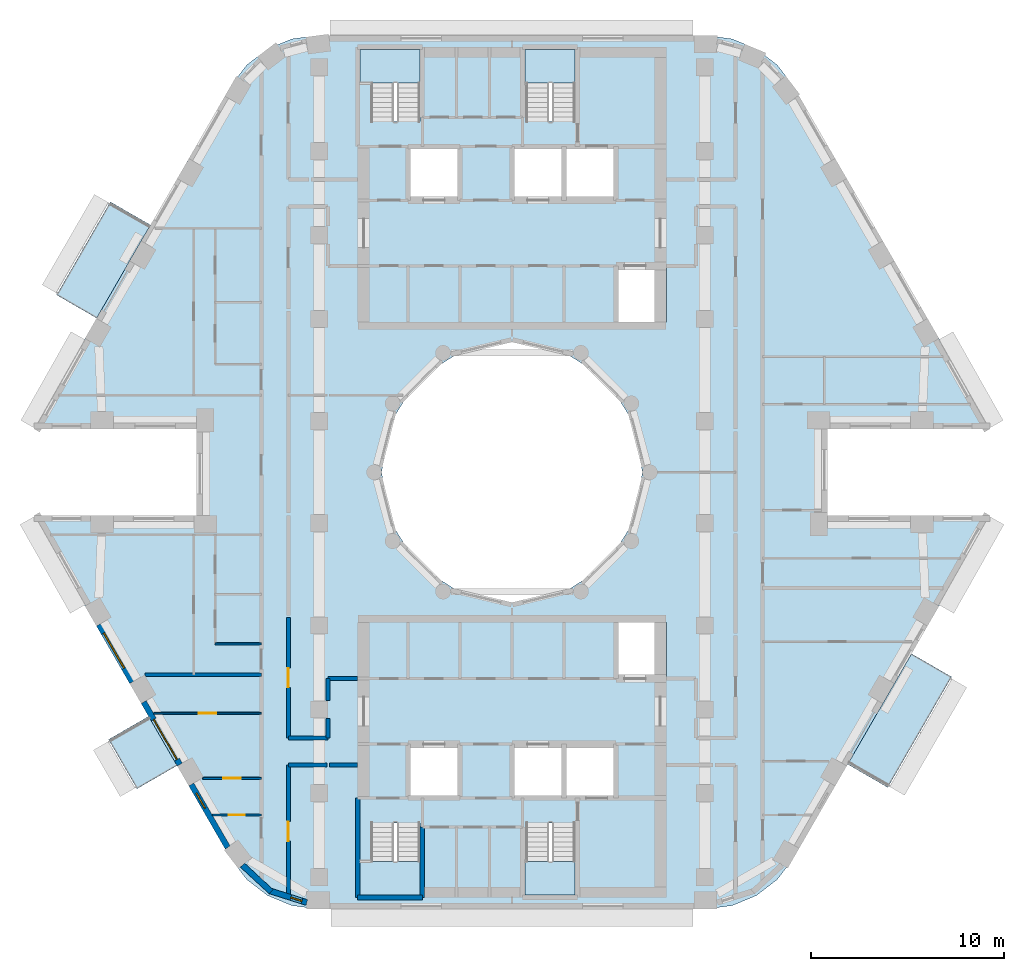
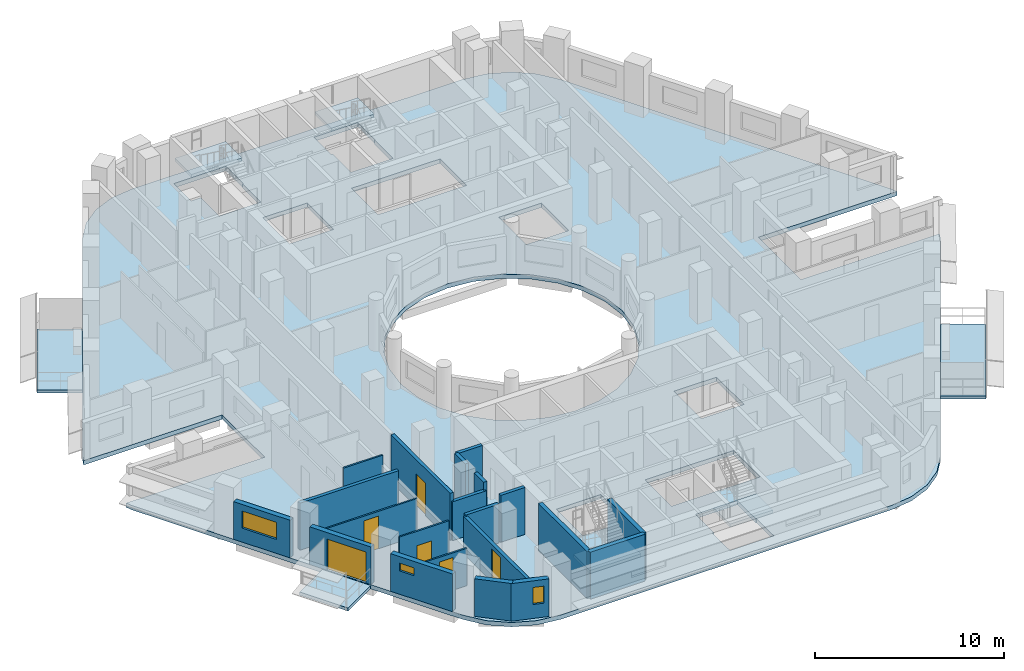
# One storey, part 2 of 17: 21 walls, 8 slabs, 6 doors, 3 windows, 9 openings, 4 elements without a shape of their own.
"""IFC4 building model written with IfcOpenShell, lengths in metres."""

from ifc_helpers import new_model, si_unit, direction, frame, frame_2d, origin, place, context, subcontext, project, spatial, polyline, rectangle, outline, extrude, material, layer, layer_set, type_object, element, fill, aggregate, save


model = new_model("IFC4")

# Units and contexts
model_context = context("Model", 3, precision=1e-05, world=origin(), true_north=direction((0.0, 1.0)))
body_context = subcontext(model_context, "Body", "Model", "MODEL_VIEW")
ifc_project = project(units=[si_unit("LENGTHUNIT", "METRE"), si_unit("AREAUNIT", "SQUARE_METRE"), si_unit("VOLUMEUNIT", "CUBIC_METRE"), si_unit("PLANEANGLEUNIT", "RADIAN"), si_unit("MASSUNIT", "GRAM", prefix="KILO")], contexts=[model_context])

# Site, building, storey
site_placement = place(None, origin())
site = spatial("IfcSite", under=ifc_project, at=site_placement, CompositionType="ELEMENT")
building_placement = place(site_placement, origin())
building = spatial("IfcBuilding", under=site, at=building_placement, Name="Nakaniwa Court", CompositionType="ELEMENT")
storey_placement = place(building_placement, frame((0.0, 0.0, 209.699951171875)))
storey = spatial("IfcBuildingStorey", under=building, at=storey_placement, Name="L55", CompositionType="ELEMENT", Elevation=209.699951171875)

# Slabs
ifc_material_1 = material(Name="Charcoal ceramic paver")
ifc_layer_1 = layer(ifc_material_1, 0.02, Name="Ceramic paver")
ifc_material_2 = material(Name="Cement sand screed")
ifc_layer_2 = layer(ifc_material_2, 0.03, Name="Falls screed")
ifc_material_3 = material(Name="Concrete C40/50", Category="concrete")
ifc_layer_3 = layer(ifc_material_3, 0.15, Name="Balcony slab")
ifc_layer_set_1 = layer_set([ifc_layer_1, ifc_layer_2, ifc_layer_3], Name="Concrete C40/50 balcony slab with ceramic paver finish")
slab_type_1 = type_object("IfcSlabType", Name="Balcony slab 200", PredefinedType="FLOOR", material=ifc_layer_set_1)
slab_1_placement = place(storey_placement, frame((0.0, 0.0, -0.25)))
element("IfcSlab", 1, at=slab_1_placement, inside=storey, type_object=slab_type_1, Name="L55 balcony 01", PredefinedType="FLOOR", context=body_context, shape_type="SweptSolid", body=[
    extrude(outline(polyline([(61.2490234375, 92.822509765625), (58.46142578125, 87.994140625), (56.383056640625, 89.194091796875), (59.170654296875, 94.0224609375), (61.2490234375, 92.822509765625)])), origin(), (0.0, 0.0, 1.0), 0.199951171875),
])
slab_2_placement = place(storey_placement, frame((0.0, 0.0, -0.25)))
element("IfcSlab", 2, at=slab_2_placement, inside=storey, type_object=slab_type_1, Name="L55 balcony 02", PredefinedType="FLOOR", context=body_context, shape_type="SweptSolid", body=[
    extrude(outline(polyline([(61.1552734375, 67.340087890625), (62.629150390625, 64.787353515625), (60.55078125, 63.58740234375), (59.076904296875, 66.139892578125), (61.1552734375, 67.340087890625)])), origin(), (0.0, 0.0, 1.0), 0.199951171875),
])
slab_3_placement = place(storey_placement, frame((0.0, 0.0, -0.25)))
element("IfcSlab", 3, at=slab_3_placement, inside=storey, type_object=slab_type_1, Name="L55 balcony 03", PredefinedType="FLOOR", context=body_context, shape_type="SweptSolid", body=[
    extrude(outline(polyline([(97.409423828125, 64.85400390625), (100.718994140625, 70.586181640625), (102.797607421875, 69.38623046875), (99.48779296875, 63.65380859375), (97.409423828125, 64.85400390625)])), origin(), (0.0, 0.0, 1.0), 0.199951171875),
])
ifc_material_4 = material(Name="Concrete C80/100", Category="concrete")
ifc_layer_4 = layer(ifc_material_4, 0.27490234375)
ifc_layer_set_2 = layer_set([ifc_layer_4], Name="Concrete C80/100")
slab_type_2 = type_object("IfcSlabType", Name="Concrete C80/100 post tensioned floor slab 275", PredefinedType="FLOOR", material=ifc_layer_set_2)
slab_4_placement = place(storey_placement, frame((0.0, 0.0, -0.27490234375)))
element("IfcSlab", 4, at=slab_4_placement, inside=storey, type_object=slab_type_2, Name="FLOOR SLAB", PredefinedType="FLOOR", context=body_context, shape_type="SweptSolid", body=[
    extrude(outline(polyline([(96.349609375, 82.25), (104.7978515625, 82.25), (104.65283203125, 82.60009765625), (94.578125, 100.050048828125), (93.751708984375, 101.126953125), (92.6748046875, 101.953369140625), (91.420654296875, 102.472900390625), (90.07470703125, 102.64990234375), (69.92529296875, 102.64990234375), (68.579345703125, 102.472900390625), (67.3251953125, 101.953369140625), (66.248291015625, 101.126953125), (65.421875, 100.050048828125), (55.34716796875, 82.60009765625), (55.2021484375, 82.25), (63.650390625, 82.25), (63.650390625, 77.75), (55.2021484375, 77.75), (55.34716796875, 77.39990234375), (65.421875, 59.949951171875), (66.248291015625, 58.873046875), (67.3251953125, 58.046630859375), (68.579345703125, 57.527099609375), (69.92529296875, 57.35009765625), (90.07470703125, 57.35009765625), (91.420654296875, 57.527099609375), (92.6748046875, 58.046630859375), (93.751708984375, 58.873046875), (94.578125, 59.949951171875), (104.65283203125, 77.39990234375), (104.7978515625, 77.75), (96.349609375, 77.75), (96.349609375, 82.25)]), holes=[polyline([(81.501953125, 86.580810546875), (80.0, 86.75), (78.498046875, 86.580810546875), (77.0712890625, 86.08154296875), (75.79150390625, 85.27734375), (74.72265625, 84.20849609375), (73.91845703125, 82.9287109375), (73.419189453125, 81.501953125), (73.25, 80.0), (73.419189453125, 78.498046875), (73.91845703125, 77.0712890625), (74.72265625, 75.79150390625), (75.79150390625, 74.72265625), (77.0712890625, 73.91845703125), (78.498046875, 73.419189453125), (80.0, 73.25), (81.501953125, 73.419189453125), (82.9287109375, 73.91845703125), (84.20849609375, 74.72265625), (85.27734375, 75.79150390625), (86.08154296875, 77.0712890625), (86.580810546875, 78.498046875), (86.75, 80.0), (86.580810546875, 81.501953125), (86.08154296875, 82.9287109375), (85.27734375, 84.20849609375), (84.20849609375, 85.27734375), (82.9287109375, 86.08154296875), (81.501953125, 86.580810546875)]), polyline([(72.675048828125, 61.81005859375), (72.675048828125, 59.864990234375), (72.0849609375, 59.864990234375), (72.0849609375, 58.034912109375), (75.264892578125, 58.034912109375), (75.264892578125, 59.864990234375), (75.22509765625, 59.864990234375), (75.22509765625, 61.81005859375), (72.675048828125, 61.81005859375)]), polyline([(77.300048828125, 65.89990234375), (74.60009765625, 65.89990234375), (74.60009765625, 63.10009765625), (77.300048828125, 63.10009765625), (77.300048828125, 65.89990234375)]), polyline([(80.0, 65.89990234375), (80.0, 63.10009765625), (82.699951171875, 63.10009765625), (85.39990234375, 63.10009765625), (85.39990234375, 65.89990234375), (82.699951171875, 65.89990234375), (80.0, 65.89990234375)]), polyline([(77.300048828125, 96.89990234375), (74.60009765625, 96.89990234375), (74.60009765625, 94.10009765625), (77.300048828125, 94.10009765625), (77.300048828125, 96.89990234375)]), polyline([(80.0, 96.89990234375), (80.0, 94.10009765625), (82.699951171875, 94.10009765625), (85.39990234375, 94.10009765625), (85.39990234375, 96.89990234375), (82.699951171875, 96.89990234375), (80.0, 96.89990234375)]), polyline([(75.264892578125, 100.135009765625), (75.264892578125, 101.965087890625), (72.0849609375, 101.965087890625), (72.0849609375, 100.135009765625), (72.675048828125, 100.135009765625), (72.675048828125, 98.18994140625), (75.22509765625, 98.18994140625), (75.22509765625, 100.135009765625), (75.264892578125, 100.135009765625)]), polyline([(83.27490234375, 61.81005859375), (80.72509765625, 61.81005859375), (80.72509765625, 59.864990234375), (80.635009765625, 59.864990234375), (80.635009765625, 58.034912109375), (83.31494140625, 58.034912109375), (83.31494140625, 59.864990234375), (83.27490234375, 59.864990234375), (83.27490234375, 61.81005859375)]), polyline([(88.0, 72.199951171875), (85.39990234375, 72.199951171875), (85.39990234375, 69.300048828125), (88.0, 69.300048828125), (88.0, 72.199951171875)]), polyline([(88.0, 90.699951171875), (85.39990234375, 90.699951171875), (85.39990234375, 87.800048828125), (88.0, 87.800048828125), (88.0, 90.699951171875)]), polyline([(83.31494140625, 100.135009765625), (83.31494140625, 101.965087890625), (80.635009765625, 101.965087890625), (80.635009765625, 100.135009765625), (80.72509765625, 100.135009765625), (80.72509765625, 98.18994140625), (83.27490234375, 98.18994140625), (83.27490234375, 100.135009765625), (83.31494140625, 100.135009765625)])]), origin(), (0.0, 0.0, 1.0), 0.27490234375),
])

# Stair, slab
stair_type = type_object("IfcStairType", Name="Dog leg stair 1200 wide 18 risers", PredefinedType="HALF_TURN_STAIR", material=ifc_material_4)
stair_1_placement = place(storey_placement, origin())
stair_1 = element("IfcStair", 5, at=stair_1_placement, inside=storey, type_object=stair_type, Name="L55 Stair ST1", PredefinedType="HALF_TURN_STAIR")
ifc_layer_5 = layer(ifc_material_4, 0.199951171875)
ifc_layer_set_3 = layer_set([ifc_layer_5], Name="Concrete C80/100")
slab_type_3 = type_object("IfcSlabType", Name="Stair landing concrete", PredefinedType="LANDING", material=ifc_layer_set_3)
slab_5_placement = place(storey_placement, frame((0.0, 0.0, 1.449951171875)))
slab_5 = element("IfcSlab", 6, at=slab_5_placement, type_object=slab_type_3, Name="ST1 landing 1", PredefinedType="LANDING", context=body_context, shape_type="SweptSolid", body=[
    extrude(outline(polyline([(75.22509765625, 100.175048828125), (75.22509765625, 101.925048828125), (72.125, 101.925048828125), (72.125, 100.175048828125), (75.22509765625, 100.175048828125)])), origin(), (0.0, 0.0, 1.0), 0.2001953125),
])
aggregate(stair_1, [slab_5])

stair_2_placement = place(storey_placement, origin())
stair_2 = element("IfcStair", 7, at=stair_2_placement, inside=storey, type_object=stair_type, Name="L55 Stair ST2", PredefinedType="HALF_TURN_STAIR")
slab_6_placement = place(storey_placement, frame((0.0, 0.0, 1.449951171875)))
slab_6 = element("IfcSlab", 8, at=slab_6_placement, type_object=slab_type_3, Name="ST2 landing 1", PredefinedType="LANDING", context=body_context, shape_type="SweptSolid", body=[
    extrude(outline(polyline([(83.27490234375, 100.175048828125), (83.27490234375, 101.925048828125), (80.675048828125, 101.925048828125), (80.675048828125, 100.175048828125), (83.27490234375, 100.175048828125)])), origin(), (0.0, 0.0, 1.0), 0.2001953125),
])
aggregate(stair_2, [slab_6])

stair_3_placement = place(storey_placement, origin())
stair_3 = element("IfcStair", 9, at=stair_3_placement, inside=storey, type_object=stair_type, Name="L55 Stair ST3", PredefinedType="HALF_TURN_STAIR")
slab_7_placement = place(storey_placement, frame((0.0, 0.0, 1.449951171875)))
slab_7 = element("IfcSlab", 10, at=slab_7_placement, type_object=slab_type_3, Name="ST3 landing 1", PredefinedType="LANDING", context=body_context, shape_type="SweptSolid", body=[
    extrude(outline(polyline([(75.22509765625, 58.074951171875), (75.22509765625, 59.824951171875), (72.125, 59.824951171875), (72.125, 58.074951171875), (75.22509765625, 58.074951171875)])), origin(), (0.0, 0.0, 1.0), 0.2001953125),
])
aggregate(stair_3, [slab_7])

stair_4_placement = place(storey_placement, origin())
stair_4 = element("IfcStair", 11, at=stair_4_placement, inside=storey, type_object=stair_type, Name="L55 Stair ST4", PredefinedType="HALF_TURN_STAIR")
slab_8_placement = place(storey_placement, frame((0.0, 0.0, 1.449951171875)))
slab_8 = element("IfcSlab", 12, at=slab_8_placement, type_object=slab_type_3, Name="ST4 landing 1", PredefinedType="LANDING", context=body_context, shape_type="SweptSolid", body=[
    extrude(outline(polyline([(83.27490234375, 58.074951171875), (83.27490234375, 59.824951171875), (80.675048828125, 59.824951171875), (80.675048828125, 58.074951171875), (83.27490234375, 58.074951171875)])), origin(), (0.0, 0.0, 1.0), 0.2001953125),
])
aggregate(stair_4, [slab_8])

# Walls
ifc_material_5 = material(Name="Acoustic double stud partition")
ifc_layer_6 = layer(ifc_material_5, 0.199951171875)
ifc_layer_set_4 = layer_set([ifc_layer_6], Name="Acoustic double stud partition")
wall_type_1 = type_object("IfcWallType", Name="Acoustic double stud partition 200", PredefinedType="PARTITIONING", material=ifc_layer_set_4)
wall_1_placement = place(storey_placement, frame((68.39990234375, 64.824951171875, 0.0), z_axis=(0.0, 0.0, 1.0), x_axis=(1.0, 0.0, 0.0)))
element("IfcWall", 13, at=wall_1_placement, inside=storey, type_object=wall_type_1, Name="Partition PW-080", PredefinedType="PARTITIONING", context=body_context, shape_type="SweptSolid", body=[
    extrude(rectangle(XDim=2.012939453125, YDim=0.199951171875, at=frame_2d((1.00634765625, 0.0))), origin(), (0.0, 0.0, 1.0), 2.505126953125),
])
wall_2_placement = place(storey_placement, frame((70.527099609375, 64.824951171875, 0.0), z_axis=(0.0, 0.0, 1.0), x_axis=(1.0, 0.0, 0.0)))
element("IfcWall", 14, at=wall_2_placement, inside=storey, type_object=wall_type_1, Name="Partition PW-081", PredefinedType="PARTITIONING", context=body_context, shape_type="SweptSolid", body=[
    extrude(rectangle(XDim=1.472900390625, YDim=0.199951171875, at=frame_2d((0.736328125, 0.0))), origin(), (0.0, 0.0, 1.0), 3.025146484375),
])
wall_3_placement = place(storey_placement, frame((70.449951171875, 69.300048828125, 0.0), z_axis=(0.0, 0.0, 1.0), x_axis=(1.0, 0.0, 0.0)))
element("IfcWall", 15, at=wall_3_placement, inside=storey, type_object=wall_type_1, Name="Partition PW-085", PredefinedType="PARTITIONING", context=body_context, shape_type="SweptSolid", body=[
    extrude(rectangle(XDim=1.550048828125, YDim=0.199951171875, at=frame_2d((0.77490234375, 0.0))), origin(), (0.0, 0.0, 1.0), 3.025146484375),
])
wall_4_placement = place(storey_placement, frame((68.39990234375, 66.22509765625, 0.0), z_axis=(0.0, 0.0, 1.0), x_axis=(1.0, 0.0, 0.0)))
element("IfcWall", 16, at=wall_4_placement, inside=storey, type_object=wall_type_1, Name="Partition PW-091", PredefinedType="PARTITIONING", context=body_context, shape_type="SweptSolid", body=[
    extrude(rectangle(XDim=2.050048828125, YDim=0.199951171875, at=frame_2d((1.02490234375, 0.0))), origin(), (0.0, 0.0, 1.0), 2.505126953125),
])

# Wall, opening, door
wall_5_placement = place(storey_placement, frame((68.39990234375, 64.824951171875, 0.0), z_axis=(0.0, 0.0, 1.0), x_axis=(0.0, -1.0, 0.0)))
wall_5 = element("IfcWall", 17, at=wall_5_placement, inside=storey, type_object=wall_type_1, Name="Partition PW-101", PredefinedType="PARTITIONING", context=body_context, shape_type="SweptSolid", body=[
    extrude(rectangle(XDim=6.898681640625, YDim=0.199951171875, at=frame_2d((3.44921875, 0.0))), origin(), (0.0, 0.0, 1.0), 2.405029296875),
])
opening_1_placement = place(wall_5_placement, frame((2.949951171875, 0.0, 0.0)))
opening_1 = element("IfcOpeningElement", 18, at=opening_1_placement, cuts=wall_5, Name="Opening D-02-04", PredefinedType="OPENING", context=body_context, shape_type="SweptSolid", body=[
    extrude(rectangle(XDim=1.0, YDim=2.10009765625, at=frame_2d((0.5, 1.050048828125))), frame((0.0, 0.10986328125, 0.0), z_axis=(0.0, -1.0, 0.0), x_axis=(1.0, 0.0, 0.0)), (0.0, 0.0, 1.0), 0.219970703125),
])
ifc_material_6 = material(Name="Solid core timber door set, black veneer", Category="wood")
door_type_1 = type_object("IfcDoorType", Name="Internal door 1000", OperationType="NOTDEFINED", PredefinedType="DOOR", material=ifc_material_6)
door_1_placement = place(opening_1_placement, origin())
door_1 = element("IfcDoor", 19, at=door_1_placement, inside=storey, type_object=door_type_1, Name="Door D-02-04 L55-041", OperationType="SINGLE_SWING_RIGHT", OverallHeight=2.10009765625, OverallWidth=1.0, PredefinedType="DOOR", context=body_context, shape_type="SweptSolid", body=[
    extrude(rectangle(XDim=1.0, YDim=2.10009765625, at=frame_2d((0.5, 1.050048828125))), frame((0.0, 0.02490234375, 0.0), z_axis=(0.0, -1.0, 0.0), x_axis=(1.0, 0.0, 0.0)), (0.0, 0.0, 1.0), 0.050048828125),
])
fill(opening_1, door_1)

wall_6_placement = place(storey_placement, frame((68.39990234375, 72.462890625, 0.0), z_axis=(0.0, 0.0, 1.0), x_axis=(0.0, -1.0, 0.0)))
wall_6 = element("IfcWall", 20, at=wall_6_placement, inside=storey, type_object=wall_type_1, Name="Partition PW-102", PredefinedType="PARTITIONING", context=body_context, shape_type="SweptSolid", body=[
    extrude(rectangle(XDim=6.23779296875, YDim=0.199951171875, at=frame_2d((3.118896484375, 0.0))), origin(), (0.0, 0.0, 1.0), 3.025146484375),
])
opening_2_placement = place(wall_6_placement, frame((2.6201171875, 0.0, 0.0)))
opening_2 = element("IfcOpeningElement", 21, at=opening_2_placement, cuts=wall_6, Name="Opening D-02-05", PredefinedType="OPENING", context=body_context, shape_type="SweptSolid", body=[
    extrude(rectangle(XDim=1.0, YDim=2.10009765625, at=frame_2d((0.5, 1.050048828125))), frame((0.0, 0.10986328125, 0.0), z_axis=(0.0, -1.0, 0.0), x_axis=(1.0, 0.0, 0.0)), (0.0, 0.0, 1.0), 0.219970703125),
])
door_2_placement = place(opening_2_placement, origin())
door_2 = element("IfcDoor", 22, at=door_2_placement, inside=storey, type_object=door_type_1, Name="Door D-02-05 L55-050", OperationType="SINGLE_SWING_LEFT", OverallHeight=2.10009765625, OverallWidth=1.0, PredefinedType="DOOR", context=body_context, shape_type="SweptSolid", body=[
    extrude(rectangle(XDim=1.0, YDim=2.10009765625, at=frame_2d((0.5, 1.050048828125))), frame((0.0, 0.02490234375, 0.0), z_axis=(0.0, -1.0, 0.0), x_axis=(1.0, 0.0, 0.0)), (0.0, 0.0, 1.0), 0.050048828125),
])
fill(opening_2, door_2)

# Walls
wall_7_placement = place(storey_placement, frame((70.449951171875, 66.22509765625, 0.0), z_axis=(0.0, 0.0, 1.0), x_axis=(0.0, 1.0, 0.0)))
element("IfcWall", 23, at=wall_7_placement, inside=storey, type_object=wall_type_1, Name="Partition PW-108", PredefinedType="PARTITIONING", context=body_context, shape_type="SweptSolid", body=[
    extrude(rectangle(XDim=1.0078125, YDim=0.199951171875, at=frame_2d((0.50390625, 0.0))), origin(), (0.0, 0.0, 1.0), 3.025146484375),
])
wall_8_placement = place(storey_placement, frame((70.449951171875, 68.167236328125, 0.0), z_axis=(0.0, 0.0, 1.0), x_axis=(0.0, 1.0, 0.0)))
element("IfcWall", 24, at=wall_8_placement, inside=storey, type_object=wall_type_1, Name="Partition PW-109", PredefinedType="PARTITIONING", context=body_context, shape_type="SweptSolid", body=[
    extrude(rectangle(XDim=1.1328125, YDim=0.199951171875, at=frame_2d((0.56640625, 0.0))), origin(), (0.0, 0.0, 1.0), 3.025146484375),
])
wall_9_placement = place(storey_placement, frame((60.970703125, 69.5, 0.0), z_axis=(0.0, 0.0, 1.0), x_axis=(1.0, 0.0, 0.0)))
element("IfcWall", 25, at=wall_9_placement, inside=storey, type_object=wall_type_1, Name="Partition PW-129", PredefinedType="PARTITIONING", context=body_context, shape_type="SweptSolid", body=[
    extrude(rectangle(XDim=6.0283203125, YDim=0.199951171875, at=frame_2d((3.01416015625, 0.0))), origin(), (0.0, 0.0, 1.0), 3.025146484375),
])

# Wall, opening, window
ifc_material_7 = material(Name="Charcoal ceramic cladding")
ifc_layer_7 = layer(ifc_material_7, 0.02, Name="Ceramic cladding")
ifc_material_8 = material(Name="Ventilated air cavity")
ifc_layer_8 = layer(ifc_material_8, 0.04, ventilated=True, Name="Ventilated cavity")
ifc_material_9 = material(Name="Mineral wool insulation")
ifc_layer_9 = layer(ifc_material_9, 0.1, Name="Insulation")
ifc_material_10 = material(Name="Cement bonded sheathing board")
ifc_layer_10 = layer(ifc_material_10, 0.012, Name="Sheathing")
ifc_material_11 = material(Name="Cold-formed galvanised stud frame with mineral wool infill")
ifc_layer_11 = layer(ifc_material_11, 0.1, Name="Stud frame")
ifc_material_12 = material(Name="Fire-rated gypsum plasterboard lining")
ifc_layer_12 = layer(ifc_material_12, 0.028, Name="Lining")
ifc_layer_set_5 = layer_set([ifc_layer_7, ifc_layer_8, ifc_layer_9, ifc_layer_10, ifc_layer_11, ifc_layer_12], Name="Charcoal ceramic faced external wall system")
wall_type_2 = type_object("IfcWallType", Name="Black ceramic faced external wall 300", PredefinedType="SOLIDWALL", material=ifc_layer_set_5)
wall_10_placement = place(storey_placement, frame((58.579345703125, 72.101806640625, 0.0), z_axis=(0.0, 0.0, 1.0), x_axis=(0.499955427682, -0.866051136095, 0.0)))
wall_10 = element("IfcWall", 26, at=wall_10_placement, inside=storey, type_object=wall_type_2, Name="L55 external wall 21", PredefinedType="SOLIDWALL", context=body_context, shape_type="SweptSolid", body=[
    extrude(rectangle(XDim=3.447021484375, YDim=0.300048828125, at=frame_2d((1.7236328125, 0.0))), origin(), (0.0, 0.0, 1.0), 2.425048828125),
])
opening_3_placement = place(wall_10_placement, frame((0.51318359375, 0.0, 0.89990234375)))
opening_3 = element("IfcOpeningElement", 27, at=opening_3_placement, cuts=wall_10, Name="Opening W7.23", PredefinedType="OPENING", context=body_context, shape_type="SweptSolid", body=[
    extrude(rectangle(XDim=2.10009765625, YDim=1.10009765625, at=frame_2d((1.050048828125, 0.550048828125))), frame((0.0, 0.159912109375, 0.0), z_axis=(0.0, -1.0, 0.0), x_axis=(1.0, 0.0, 0.0)), (0.0, 0.0, 1.0), 0.320068359375),
])
ifc_material_13 = material(Name="Black anodised aluminium frame with dark low-E laminated double glazing", Category="aluminium")
window_type_1 = type_object("IfcWindowType", Name="Dark glass window 2100x1100 sill 900", PartitioningType="SINGLE_PANEL", PredefinedType="WINDOW", material=ifc_material_13)
window_1_placement = place(opening_3_placement, origin())
window_1 = element("IfcWindow", 28, at=window_1_placement, inside=storey, type_object=window_type_1, Name="L55 living window 21-0", OverallHeight=1.10009765625, OverallWidth=2.10009765625, PartitioningType="SINGLE_PANEL", PredefinedType="WINDOW", context=body_context, shape_type="SweptSolid", body=[
    extrude(rectangle(XDim=2.10009765625, YDim=1.10009765625, at=frame_2d((1.050048828125, 0.550048828125))), frame((0.0, 0.030029296875, 0.0), z_axis=(0.0, -1.0, 0.0), x_axis=(1.0, 0.0, 0.0)), (0.0, 0.0, 1.0), 0.06005859375),
])
fill(opening_3, window_1)

# Wall, opening, door
wall_11_placement = place(storey_placement, frame((60.898681640625, 68.083984375, 0.0), z_axis=(0.0, 0.0, 1.0), x_axis=(0.500059225181, -0.86599120741, 0.0)))
wall_11 = element("IfcWall", 29, at=wall_11_placement, inside=storey, type_object=wall_type_2, Name="L55 external wall 22", PredefinedType="SOLIDWALL", context=body_context, shape_type="SweptSolid", body=[
    extrude(rectangle(XDim=3.744140625, YDim=0.300048828125, at=frame_2d((1.8720703125, 0.0))), origin(), (0.0, 0.0, 1.0), 2.425048828125),
])
opening_4_placement = place(wall_11_placement, frame((1.04638671875, 0.0, 0.0)))
opening_4 = element("IfcOpeningElement", 30, at=opening_4_placement, cuts=wall_11, Name="Opening XD13.02", PredefinedType="OPENING", context=body_context, shape_type="SweptSolid", body=[
    extrude(rectangle(XDim=2.39990234375, YDim=2.0, at=frame_2d((1.199951171875, 1.0))), frame((0.0, 0.159912109375, 0.0), z_axis=(0.0, -1.0, 0.0), x_axis=(1.0, 0.0, 0.0)), (0.0, 0.0, 1.0), 0.320068359375),
])
ifc_material_14 = material(Name="Black powder-coated aluminium frame with dark laminated glass", Category="aluminium")
door_type_2 = type_object("IfcDoorType", Name="Balcony sliding door 2400x2000", OperationType="DOUBLE_DOOR_SLIDING", PredefinedType="DOOR", material=ifc_material_14)
door_3_placement = place(opening_4_placement, origin())
door_3 = element("IfcDoor", 31, at=door_3_placement, inside=storey, type_object=door_type_2, Name="L55 balcony sliding door 02", OperationType="DOUBLE_DOOR_SLIDING", OverallHeight=2.0, OverallWidth=2.39990234375, PredefinedType="DOOR", context=body_context, shape_type="SweptSolid", body=[
    extrude(rectangle(XDim=2.39990234375, YDim=2.0, at=frame_2d((1.199951171875, 1.0))), frame((0.0, 0.02490234375, 0.0), z_axis=(0.0, -1.0, 0.0), x_axis=(1.0, 0.0, 0.0)), (0.0, 0.0, 1.0), 0.050048828125),
])
fill(opening_4, door_3)

# Wall, opening, window
wall_12_placement = place(storey_placement, frame((63.366943359375, 63.809326171875, 0.0), z_axis=(0.0, 0.0, 1.0), x_axis=(0.499961087031, -0.866047869032, 0.0)))
wall_12 = element("IfcWall", 32, at=wall_12_placement, inside=storey, type_object=wall_type_2, Name="L55 external wall 23", PredefinedType="SOLIDWALL", context=body_context, shape_type="SweptSolid", body=[
    extrude(rectangle(XDim=3.778564453125, YDim=0.300048828125, at=frame_2d((1.88916015625, 0.0))), origin(), (0.0, 0.0, 1.0), 2.425048828125),
])
opening_5_placement = place(wall_12_placement, frame((0.525634765625, 0.0, 1.5)))
opening_5 = element("IfcOpeningElement", 33, at=opening_5_placement, cuts=wall_12, Name="Opening W10.24", PredefinedType="OPENING", context=body_context, shape_type="SweptSolid", body=[
    extrude(rectangle(XDim=0.89990234375, YDim=0.5, at=frame_2d((0.449951171875, 0.25))), frame((0.0, 0.159912109375, 0.0), z_axis=(0.0, -1.0, 0.0), x_axis=(1.0, 0.0, 0.0)), (0.0, 0.0, 1.0), 0.320068359375),
])
window_type_2 = type_object("IfcWindowType", Name="Dark glass window 900x500 sill 1500", PartitioningType="SINGLE_PANEL", PredefinedType="WINDOW", material=ifc_material_13)
window_2_placement = place(opening_5_placement, origin())
window_2 = element("IfcWindow", 34, at=window_2_placement, inside=storey, type_object=window_type_2, Name="L55 bathroom window 23-0", OverallHeight=0.5, OverallWidth=0.89990234375, PartitioningType="SINGLE_PANEL", PredefinedType="WINDOW", context=body_context, shape_type="SweptSolid", body=[
    extrude(rectangle(XDim=0.89990234375, YDim=0.5, at=frame_2d((0.449951171875, 0.25))), frame((0.0, 0.030029296875, 0.0), z_axis=(0.0, -1.0, 0.0), x_axis=(1.0, 0.0, 0.0)), (0.0, 0.0, 1.0), 0.06005859375),
])
fill(opening_5, window_2)

# Wall
wall_13_placement = place(storey_placement, frame((66.0224609375, 59.622314453125, 0.0), z_axis=(0.0, 0.0, 1.0), x_axis=(0.734627852992, -0.678470277616, 0.0)))
element("IfcWall", 35, at=wall_13_placement, inside=storey, type_object=wall_type_2, Name="L55 external wall 24", PredefinedType="SOLIDWALL", context=body_context, shape_type="SweptSolid", body=[
    extrude(rectangle(XDim=2.02587890625, YDim=0.300048828125, at=frame_2d((1.012939453125, 0.0))), origin(), (0.0, 0.0, 1.0), 2.425048828125),
])

# Wall, opening, window
wall_14_placement = place(storey_placement, frame((67.40576171875, 58.3017578125, 0.0), z_axis=(0.0, 0.0, 1.0), x_axis=(0.953537608367, -0.301274010545, 0.0)))
wall_14 = element("IfcWall", 36, at=wall_14_placement, inside=storey, type_object=wall_type_2, Name="L55 external wall 25", PredefinedType="SOLIDWALL", context=body_context, shape_type="SweptSolid", body=[
    extrude(rectangle(XDim=2.0478515625, YDim=0.300048828125, at=frame_2d((1.02392578125, 0.0))), origin(), (0.0, 0.0, 1.0), 2.425048828125),
])
opening_6_placement = place(wall_14_placement, frame((1.1796875, 0.0, 0.89990234375)))
opening_6 = element("IfcOpeningElement", 37, at=opening_6_placement, cuts=wall_14, Name="Opening W8.25", PredefinedType="OPENING", context=body_context, shape_type="SweptSolid", body=[
    extrude(rectangle(XDim=0.60009765625, YDim=1.10009765625, at=frame_2d((0.300048828125, 0.550048828125))), frame((0.0, 0.159912109375, 0.0), z_axis=(0.0, -1.0, 0.0), x_axis=(1.0, 0.0, 0.0)), (0.0, 0.0, 1.0), 0.320068359375),
])
window_type_3 = type_object("IfcWindowType", Name="Dark glass window 600x1100 sill 900", PartitioningType="SINGLE_PANEL", PredefinedType="WINDOW", material=ifc_material_13)
window_3_placement = place(opening_6_placement, origin())
window_3 = element("IfcWindow", 38, at=window_3_placement, inside=storey, type_object=window_type_3, Name="L55 habitable room window 25-1", OverallHeight=1.10009765625, OverallWidth=0.60009765625, PartitioningType="SINGLE_PANEL", PredefinedType="WINDOW", context=body_context, shape_type="SweptSolid", body=[
    extrude(rectangle(XDim=0.60009765625, YDim=1.10009765625, at=frame_2d((0.300048828125, 0.550048828125))), frame((0.0, 0.030029296875, 0.0), z_axis=(0.0, -1.0, 0.0), x_axis=(1.0, 0.0, 0.0)), (0.0, 0.0, 1.0), 0.06005859375),
])
fill(opening_6, window_3)

# Walls
ifc_layer_13 = layer(ifc_material_4, 0.25)
ifc_layer_set_6 = layer_set([ifc_layer_13], Name="Concrete C80/100")
wall_type_3 = type_object("IfcWallType", Name="Concrete core wall 250 C80", PredefinedType="SHEAR", material=ifc_layer_set_6)
wall_15_placement = place(storey_placement, frame((72.0, 57.949951171875, -0.27490234375), z_axis=(0.0, 0.0, 1.0), x_axis=(0.0, 1.0, 0.0)))
element("IfcWall", 39, at=wall_15_placement, inside=storey, type_object=wall_type_3, Name="Core wall SW-62", PredefinedType="SHEAR", context=body_context, shape_type="SweptSolid", body=[
    extrude(rectangle(XDim=5.150146484375, YDim=0.25, at=frame_2d((2.5751953125, 0.0))), origin(), (0.0, 0.0, 1.0), 3.300048828125),
])
wall_16_placement = place(storey_placement, frame((72.0, 57.949951171875, -0.27490234375), z_axis=(0.0, 0.0, 1.0), x_axis=(1.0, 0.0, 0.0)))
element("IfcWall", 40, at=wall_16_placement, inside=storey, type_object=wall_type_3, Name="Core wall SW-63", PredefinedType="SHEAR", context=body_context, shape_type="SweptSolid", body=[
    extrude(rectangle(XDim=3.35009765625, YDim=0.25, at=frame_2d((1.675048828125, 0.0))), origin(), (0.0, 0.0, 1.0), 3.300048828125),
])
ifc_layer_14 = layer(ifc_material_4, 0.25)
ifc_layer_set_7 = layer_set([ifc_layer_14], Name="Concrete C80/100")
wall_type_4 = type_object("IfcWallType", Name="Concrete shaft wall 250 C80", PredefinedType="SHEAR", material=ifc_layer_set_7)
wall_17_placement = place(storey_placement, frame((75.35009765625, 57.949951171875, -0.27490234375), z_axis=(0.0, 0.0, 1.0), x_axis=(0.0, 1.0, 0.0)))
element("IfcWall", 41, at=wall_17_placement, inside=storey, type_object=wall_type_4, Name="Core wall SW-61", PredefinedType="SHEAR", context=body_context, shape_type="SweptSolid", body=[
    extrude(rectangle(XDim=3.653076171875, YDim=0.25, at=frame_2d((1.82666015625, 0.0))), origin(), (0.0, 0.0, 1.0), 3.300048828125),
])

# Wall, opening, door
ifc_material_15 = material(Name="Single stud plasterboard partition")
ifc_layer_15 = layer(ifc_material_15, 0.10009765625)
ifc_layer_set_8 = layer_set([ifc_layer_15], Name="Single stud plasterboard partition")
wall_type_5 = type_object("IfcWallType", Name="Single stud plasterboard partition 100", PredefinedType="PARTITIONING", material=ifc_layer_set_8)
wall_18_placement = place(storey_placement, frame((64.454833984375, 62.22509765625, 0.0), z_axis=(0.0, 0.0, 1.0), x_axis=(1.0, 0.0, 0.0)))
wall_18 = element("IfcWall", 42, at=wall_18_placement, inside=storey, type_object=wall_type_5, Name="Partition PW-116", PredefinedType="PARTITIONING", context=body_context, shape_type="SweptSolid", body=[
    extrude(rectangle(XDim=2.544189453125, YDim=0.10009765625, at=frame_2d((1.27197265625, 0.0))), origin(), (0.0, 0.0, 1.0), 2.405029296875),
])
opening_7_placement = place(wall_18_placement, frame((0.846923828125, 0.0, 0.0)))
opening_7 = element("IfcOpeningElement", 43, at=opening_7_placement, cuts=wall_18, Name="Opening D-03-03", PredefinedType="OPENING", context=body_context, shape_type="SweptSolid", body=[
    extrude(rectangle(XDim=0.85009765625, YDim=2.10009765625, at=frame_2d((0.425048828125, 1.050048828125))), frame((0.0, 0.06005859375, 0.0), z_axis=(0.0, -1.0, 0.0), x_axis=(1.0, 0.0, 0.0)), (0.0, 0.0, 1.0), 0.1201171875),
])
ifc_material_16 = material(Name="Moisture sealed timber door set", Category="wood")
door_type_3 = type_object("IfcDoorType", Name="Bathroom door 850", OperationType="NOTDEFINED", PredefinedType="DOOR", material=ifc_material_16)
door_4_placement = place(opening_7_placement, origin())
door_4 = element("IfcDoor", 44, at=door_4_placement, inside=storey, type_object=door_type_3, Name="Door D-03-03 L55-043", OperationType="SINGLE_SWING_RIGHT", OverallHeight=2.10009765625, OverallWidth=0.85009765625, PredefinedType="DOOR", context=body_context, shape_type="SweptSolid", body=[
    extrude(rectangle(XDim=0.85009765625, YDim=2.10009765625, at=frame_2d((0.425048828125, 1.050048828125))), frame((0.0, 0.02490234375, 0.0), z_axis=(0.0, -1.0, 0.0), x_axis=(1.0, 0.0, 0.0)), (0.0, 0.0, 1.0), 0.050048828125),
])
fill(opening_7, door_4)

wall_19_placement = place(storey_placement, frame((63.962158203125, 64.125, 0.0), z_axis=(0.0, 0.0, 1.0), x_axis=(1.0, 0.0, 0.0)))
wall_19 = element("IfcWall", 45, at=wall_19_placement, inside=storey, type_object=wall_type_5, Name="Partition PW-127", PredefinedType="PARTITIONING", context=body_context, shape_type="SweptSolid", body=[
    extrude(rectangle(XDim=3.036865234375, YDim=0.10009765625, at=frame_2d((1.5185546875, 0.0))), origin(), (0.0, 0.0, 1.0), 3.025146484375),
])
opening_8_placement = place(wall_19_placement, frame((1.068115234375, 0.0, 0.0)))
opening_8 = element("IfcOpeningElement", 46, at=opening_8_placement, cuts=wall_19, Name="Opening D-33-06", PredefinedType="OPENING", context=body_context, shape_type="SweptSolid", body=[
    extrude(rectangle(XDim=0.89990234375, YDim=2.10009765625, at=frame_2d((0.449951171875, 1.050048828125))), frame((0.0, 0.06005859375, 0.0), z_axis=(0.0, -1.0, 0.0), x_axis=(1.0, 0.0, 0.0)), (0.0, 0.0, 1.0), 0.1201171875),
])
door_type_4 = type_object("IfcDoorType", Name="Internal door 900", OperationType="NOTDEFINED", PredefinedType="DOOR", material=ifc_material_6)
door_5_placement = place(opening_8_placement, origin())
door_5 = element("IfcDoor", 47, at=door_5_placement, inside=storey, type_object=door_type_4, Name="Door D-33-06 L55-044", OperationType="SINGLE_SWING_LEFT", OverallHeight=2.10009765625, OverallWidth=0.89990234375, PredefinedType="DOOR", context=body_context, shape_type="SweptSolid", body=[
    extrude(rectangle(XDim=0.89990234375, YDim=2.10009765625, at=frame_2d((0.449951171875, 1.050048828125))), frame((0.0, 0.02490234375, 0.0), z_axis=(0.0, -1.0, 0.0), x_axis=(1.0, 0.0, 0.0)), (0.0, 0.0, 1.0), 0.050048828125),
])
fill(opening_8, door_5)

wall_20_placement = place(storey_placement, frame((61.4091796875, 67.5, 0.0), z_axis=(0.0, 0.0, 1.0), x_axis=(1.0, 0.0, 0.0)))
wall_20 = element("IfcWall", 48, at=wall_20_placement, inside=storey, type_object=wall_type_5, Name="Partition PW-128", PredefinedType="PARTITIONING", context=body_context, shape_type="SweptSolid", body=[
    extrude(rectangle(XDim=5.58984375, YDim=0.10009765625, at=frame_2d((2.794921875, 0.0))), origin(), (0.0, 0.0, 1.0), 2.405029296875),
])
opening_9_placement = place(wall_20_placement, frame((2.344970703125, 0.0, 0.0)))
opening_9 = element("IfcOpeningElement", 49, at=opening_9_placement, cuts=wall_20, Name="Opening D-33-07", PredefinedType="OPENING", context=body_context, shape_type="SweptSolid", body=[
    extrude(rectangle(XDim=0.89990234375, YDim=2.10009765625, at=frame_2d((0.449951171875, 1.050048828125))), frame((0.0, 0.06005859375, 0.0), z_axis=(0.0, -1.0, 0.0), x_axis=(1.0, 0.0, 0.0)), (0.0, 0.0, 1.0), 0.1201171875),
])
door_6_placement = place(opening_9_placement, origin())
door_6 = element("IfcDoor", 50, at=door_6_placement, inside=storey, type_object=door_type_4, Name="Door D-33-07 L55-045", OperationType="SINGLE_SWING_RIGHT", OverallHeight=2.10009765625, OverallWidth=0.89990234375, PredefinedType="DOOR", context=body_context, shape_type="SweptSolid", body=[
    extrude(rectangle(XDim=0.89990234375, YDim=2.10009765625, at=frame_2d((0.449951171875, 1.050048828125))), frame((0.0, 0.02490234375, 0.0), z_axis=(0.0, -1.0, 0.0), x_axis=(1.0, 0.0, 0.0)), (0.0, 0.0, 1.0), 0.050048828125),
])
fill(opening_9, door_6)

# Wall
wall_21_placement = place(storey_placement, frame((64.59912109375, 71.10009765625, 0.0), z_axis=(0.0, 0.0, 1.0), x_axis=(1.0, 0.0, 0.0)))
element("IfcWall", 51, at=wall_21_placement, inside=storey, type_object=wall_type_5, Name="Partition PW-133", PredefinedType="PARTITIONING", context=body_context, shape_type="SweptSolid", body=[
    extrude(rectangle(XDim=2.39990234375, YDim=0.10009765625, at=frame_2d((1.199951171875, 0.0))), origin(), (0.0, 0.0, 1.0), 3.025146484375),
])

save(model, "model.ifc")
